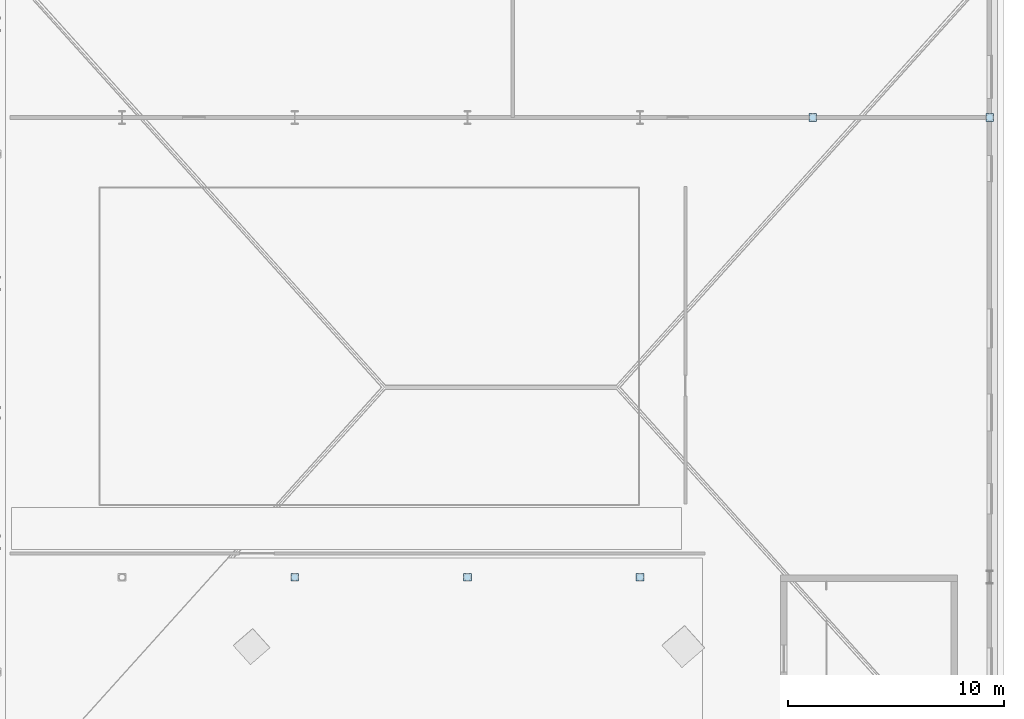
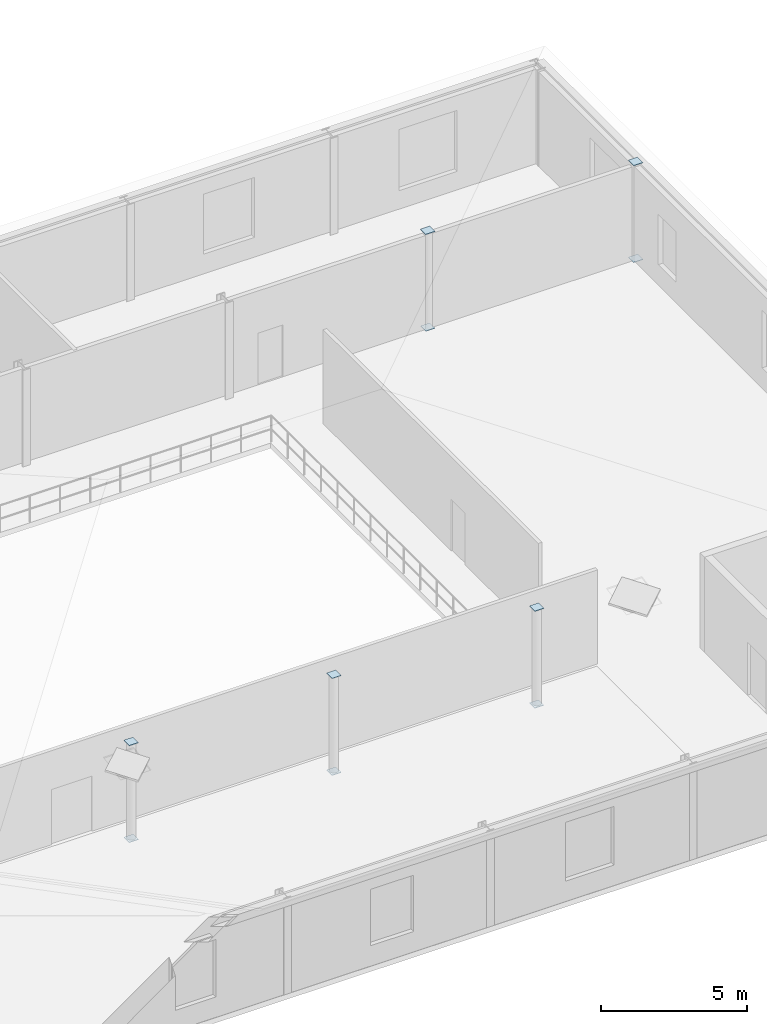
# One storey, part 123 of 148: 10 plates.
"""IFC4 building model written with IfcOpenShell, lengths in metres."""

from ifc_helpers import new_model, si_unit, direction, frame, origin, origin_2d, place, context, subcontext, project, spatial, rectangle, extrude, material, layer, layer_set, type_object, element, save


model = new_model("IFC4")

# Units and contexts
model_context = context("Model", 3, precision=1e-05, world=origin(), true_north=direction((0.0, 1.0)))
body_context = subcontext(model_context, "Body", "Model", "MODEL_VIEW")
ifc_project = project(units=[si_unit("LENGTHUNIT", "METRE"), si_unit("AREAUNIT", "SQUARE_METRE"), si_unit("VOLUMEUNIT", "CUBIC_METRE"), si_unit("PLANEANGLEUNIT", "RADIAN"), si_unit("MASSUNIT", "GRAM", prefix="KILO"), si_unit("THERMODYNAMICTEMPERATUREUNIT", "KELVIN"), si_unit("POWERUNIT", "WATT")], contexts=[model_context])

# Site, building, storey
site_placement = place(None, origin())
site = spatial("IfcSite", under=ifc_project, at=site_placement, CompositionType="ELEMENT")
building_placement = place(site_placement, origin())
building = spatial("IfcBuilding", under=site, at=building_placement, Name="Solvatero Civic Police Headquarters", CompositionType="ELEMENT")
storey_placement = place(building_placement, frame((0.0, 0.0, 5.10009765625)))
storey = spatial("IfcBuildingStorey", under=building, at=storey_placement, Name="L01", CompositionType="ELEMENT", Elevation=5.10009765625)

# Plates
ifc_material = material(Name="Steel S355", Category="steel")
ifc_layer = layer(ifc_material, 0.02001953125)
ifc_layer_set = layer_set([ifc_layer], Name="Steel S355")
plate_type = type_object("IfcPlateType", Name="PLT-CAP-20", PredefinedType="SHEET", material=ifc_layer_set)
for number, where, z_axis, x_axis, name in (
    (1, (136.0, 15.199951171875, 4.019775390625), (0.0, 0.0, 1.0), (1.0, 0.0, 0.0), "Hollow Section End Cap Plate 0075"),
    (2, (136.0, 15.199951171875, -0.02001953125), (0.0, 0.0, 1.0), (1.0, 0.0, 0.0), "Hollow Section End Cap Plate 0076"),
    (3, (144.0, 15.199951171875, 4.019775390625), (0.0, 0.0, 1.0), (1.0, 0.0, 0.0), "Hollow Section End Cap Plate 0077"),
    (4, (144.0, 15.199951171875, -0.02001953125), (0.0, 0.0, 1.0), (1.0, 0.0, 0.0), "Hollow Section End Cap Plate 0078"),
    (5, (152.0, 15.199951171875, 4.019775390625), (0.0, 0.0, 1.0), (1.0, 0.0, 0.0), "Hollow Section End Cap Plate 0079"),
    (6, (152.0, 15.199951171875, -0.02001953125), (0.0, 0.0, 1.0), (1.0, 0.0, 0.0), "Hollow Section End Cap Plate 0080"),
    (7, (160.0, 36.5, 4.019775390625), (0.0, 0.0, 1.0), (1.0, 0.0, 0.0), "Hollow Section End Cap Plate 0081"),
    (8, (160.0, 36.5, -0.02001953125), (0.0, 0.0, 1.0), (1.0, 0.0, 0.0), "Hollow Section End Cap Plate 0082"),
    (9, (168.199951171875, 36.5, 4.019775390625), (0.0, 0.0, 1.0), (1.0, 0.0, 0.0), "Hollow Section End Cap Plate 0083"),
    (10, (168.199951171875, 36.5, -0.02001953125), (0.0, 0.0, 1.0), (1.0, 0.0, 0.0), "Hollow Section End Cap Plate 0084"),
):
    element("IfcPlate", number, at=place(storey_placement, frame(where, z_axis=z_axis, x_axis=x_axis)), inside=storey, type_object=plate_type, Name=name, PredefinedType="SHEET", context=body_context, shape_type="SweptSolid", body=[
        extrude(rectangle(XDim=0.364013671875, YDim=0.364013671875, at=origin_2d()), origin(), (0.0, 0.0, 1.0), 0.02001953125),
    ])

save(model, "model.ifc")
